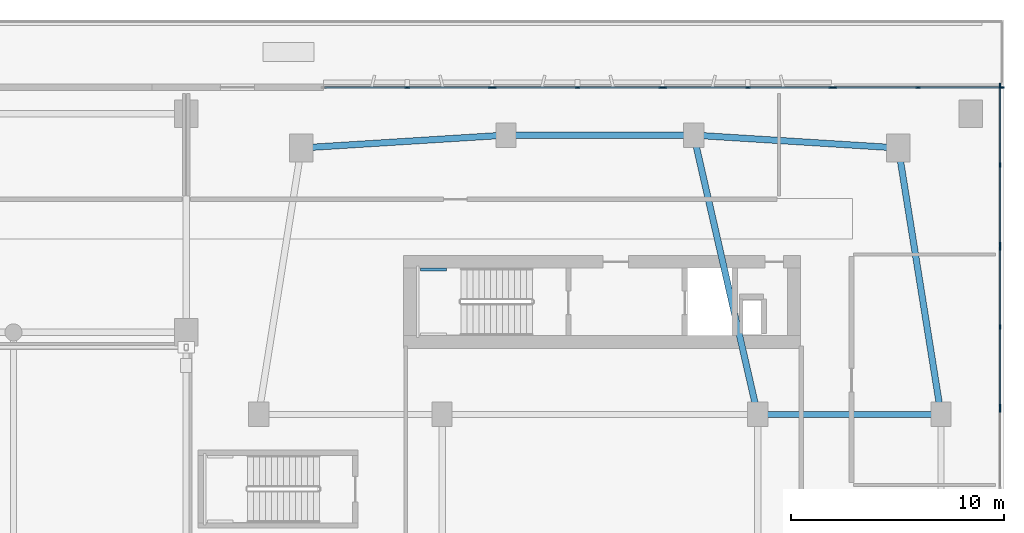
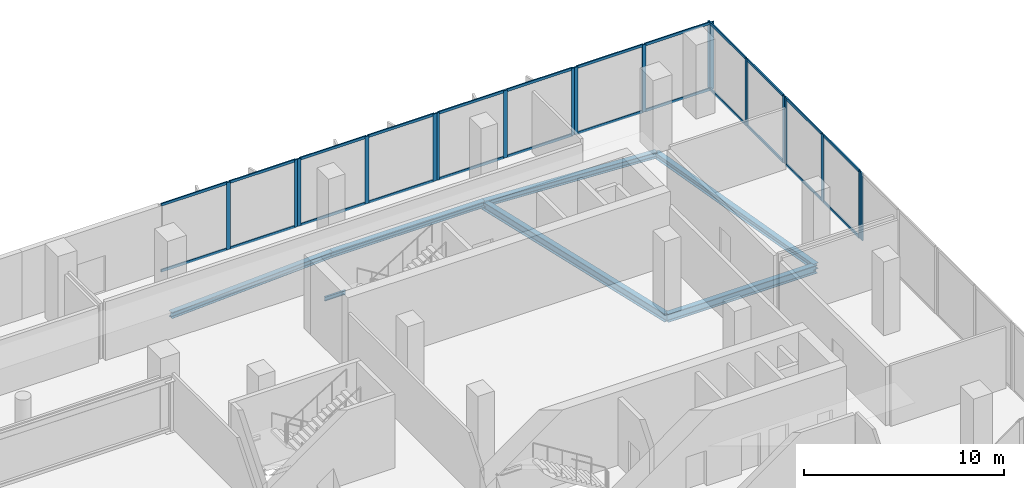
# One storey, part 10 of 31: 42 members, 7 beams, 7 elements without a shape of their own.
"""IFC4 building model written with IfcOpenShell, lengths in metres."""

from ifc_helpers import new_model, si_unit, derived_unit, direction, frame, origin, origin_2d, place, context, subcontext, project, spatial, rectangle, i_section, extrude, material, layer, layer_set, material_profile, profile_set, type_object, element, aggregate, save


model = new_model("IFC4")

# Units and contexts
model_context = context("Model", 3, precision=1e-05, world=origin(), true_north=direction((0.0, 1.0)))
body_context = subcontext(model_context, "Body", "Model", "MODEL_VIEW")
ifc_project = project(units=[si_unit("LENGTHUNIT", "METRE"), si_unit("AREAUNIT", "SQUARE_METRE"), si_unit("VOLUMEUNIT", "CUBIC_METRE"), si_unit("PLANEANGLEUNIT", "RADIAN"), si_unit("MASSUNIT", "GRAM", prefix="KILO"), derived_unit("THERMALTRANSMITTANCEUNIT", [(si_unit("POWERUNIT", "WATT"), 1), (si_unit("LENGTHUNIT", "METRE"), -2), (si_unit("THERMODYNAMICTEMPERATUREUNIT", "KELVIN"), -1)])], contexts=[model_context])

# Site, building, storey
site_placement = place(None, origin())
site = spatial("IfcSite", under=ifc_project, at=site_placement, CompositionType="ELEMENT")
building_placement = place(site_placement, origin())
building = spatial("IfcBuilding", under=site, at=building_placement, Name="Kivonza Crest Hotel", CompositionType="ELEMENT")
storey_placement = place(building_placement, frame((0.0, 0.0, 15.0)))
storey = spatial("IfcBuildingStorey", under=building, at=storey_placement, Name="L03", CompositionType="ELEMENT", Elevation=15.0)

# Beams
ifc_material_1 = material(Name="Steel S355", Category="steel")
ifc_material_profile_1 = material_profile(ifc_material_1, i_section(OverallWidth=0.300048828125, OverallDepth=0.360107421875, WebThickness=0.012451171875, FlangeThickness=0.0224609375, FilletRadius=0.027099609375, at=origin_2d()), Name="HEB 360")
ifc_profile_set_1 = profile_set([ifc_material_profile_1], Name="Steel S355")
beam_type_1 = type_object("IfcBeamType", Name="BM-HEB360", PredefinedType="SPANDREL", material=ifc_profile_set_1)
beam_1_placement = place(storey_placement, frame((93.0, 28.5, -0.530029296875), z_axis=(-0.157990501107, 0.987440631917, 0.0), x_axis=(-0.987440631917, -0.157990501107, 0.0)))
element("IfcBeam", 1, at=beam_1_placement, inside=storey, type_object=beam_type_1, Name="Companion Tower T2 L03 perimeter spandrel E2-NE", PredefinedType="SPANDREL", context=body_context, shape_type="SweptSolid", body=[
    extrude(i_section(OverallWidth=0.300048828125, OverallDepth=0.360107421875, WebThickness=0.012451171875, FlangeThickness=0.0224609375, FilletRadius=0.027099609375, at=origin_2d()), origin(), (0.0, 0.0, 1.0), 12.658935546875),
])
beam_2_placement = place(storey_placement, frame((91.0, 41.0, -0.530029296875), z_axis=(-0.998051985873, 0.062387767186, 0.0), x_axis=(-0.062387767186, -0.998051985873, 0.0)))
element("IfcBeam", 2, at=beam_2_placement, inside=storey, type_object=beam_type_1, Name="Companion Tower T2 L03 perimeter spandrel NE-N2", PredefinedType="SPANDREL", context=body_context, shape_type="SweptSolid", body=[
    extrude(i_section(OverallWidth=0.300048828125, OverallDepth=0.360107421875, WebThickness=0.012451171875, FlangeThickness=0.0224609375, FilletRadius=0.027099609375, at=origin_2d()), origin(), (0.0, 0.0, 1.0), 9.618896484375),
])
beam_3_placement = place(storey_placement, frame((81.39990234375, 41.60009765625, -0.530029296875), z_axis=(-1.0, 0.0, 0.0), x_axis=(0.0, -1.0, 0.0)))
element("IfcBeam", 3, at=beam_3_placement, inside=storey, type_object=beam_type_1, Name="Companion Tower T2 L03 perimeter spandrel N2-N1", PredefinedType="SPANDREL", context=body_context, shape_type="SweptSolid", body=[
    extrude(i_section(OverallWidth=0.300048828125, OverallDepth=0.360107421875, WebThickness=0.012451171875, FlangeThickness=0.0224609375, FilletRadius=0.027099609375, at=origin_2d()), origin(), (0.0, 0.0, 1.0), 8.7998046875),
])
beam_4_placement = place(storey_placement, frame((72.60009765625, 41.60009765625, -0.530029296875), z_axis=(-0.998051985873, -0.062387767186, 0.0), x_axis=(0.062387767186, -0.998051985873, 0.0)))
element("IfcBeam", 4, at=beam_4_placement, inside=storey, type_object=beam_type_1, Name="Companion Tower T2 L03 perimeter spandrel N1-NW", PredefinedType="SPANDREL", context=body_context, shape_type="SweptSolid", body=[
    extrude(i_section(OverallWidth=0.300048828125, OverallDepth=0.360107421875, WebThickness=0.012451171875, FlangeThickness=0.0224609375, FilletRadius=0.027099609375, at=origin_2d()), origin(), (0.0, 0.0, 1.0), 9.618896484375),
])
ifc_material_profile_2 = material_profile(ifc_material_1, i_section(OverallWidth=0.300048828125, OverallDepth=0.5, WebThickness=0.014404296875, FlangeThickness=0.028076171875, FilletRadius=0.027099609375, at=origin_2d()), Name="HEB 500")
ifc_profile_set_2 = profile_set([ifc_material_profile_2], Name="Steel S355")
beam_type_2 = type_object("IfcBeamType", Name="BM-HEB500", PredefinedType="BEAM", material=ifc_profile_set_2)
beam_5_placement = place(storey_placement, frame((84.39990234375, 28.5, -0.60009765625), z_axis=(1.0, 0.0, 0.0), x_axis=(0.0, 1.0, 0.0)))
element("IfcBeam", 5, at=beam_5_placement, inside=storey, type_object=beam_type_2, Name="Companion Tower T2 L03 girder WR2-E2", PredefinedType="BEAM", context=body_context, shape_type="SweptSolid", body=[
    extrude(i_section(OverallWidth=0.300048828125, OverallDepth=0.5, WebThickness=0.014404296875, FlangeThickness=0.028076171875, FilletRadius=0.027099609375, at=origin_2d()), origin(), (0.0, 0.0, 1.0), 8.60009765625),
])
beam_6_placement = place(storey_placement, frame((84.39990234375, 28.5, -0.60009765625), z_axis=(-0.223227287589, 0.974766422317, 0.0), x_axis=(-0.974766422317, -0.223227287589, 0.0)))
element("IfcBeam", 6, at=beam_6_placement, inside=storey, type_object=beam_type_2, Name="Companion Tower T2 L03 girder WR2-N2", PredefinedType="BEAM", context=body_context, shape_type="SweptSolid", body=[
    extrude(i_section(OverallWidth=0.300048828125, OverallDepth=0.5, WebThickness=0.014404296875, FlangeThickness=0.028076171875, FilletRadius=0.027099609375, at=origin_2d()), origin(), (0.0, 0.0, 1.0), 13.439208984375),
])
ifc_material_profile_3 = material_profile(ifc_material_1, i_section(OverallWidth=0.1201171875, OverallDepth=0.239990234375, WebThickness=0.006103515625, FlangeThickness=0.009765625, FilletRadius=0.014892578125, at=origin_2d()), Name="IPE 240")
ifc_profile_set_3 = profile_set([ifc_material_profile_3], Name="Steel S355")
beam_type_3 = type_object("IfcBeamType", Name="BM-LLDG-240", PredefinedType="BEAM", material=ifc_profile_set_3)
beam_7_placement = place(storey_placement, frame((68.590087890625, 35.300048828125, 1.929931640625), z_axis=(1.0, 0.0, 0.0), x_axis=(0.0, 1.0, 0.0)))
element("IfcBeam", 7, at=beam_7_placement, inside=storey, type_object=beam_type_3, Name="Stair ST-T2-N L03 North landing corbel", PredefinedType="BEAM", context=body_context, shape_type="SweptSolid", body=[
    extrude(i_section(OverallWidth=0.1201171875, OverallDepth=0.239990234375, WebThickness=0.006103515625, FlangeThickness=0.009765625, FilletRadius=0.014892578125, at=origin_2d()), origin(), (0.0, 0.0, 1.0), 1.2099609375),
])

# Curtain wall, member
ifc_material_2 = material(Name="Anodised bronze aluminium and low-E double glazing", Category="aluminium")
ifc_layer = layer(ifc_material_2, 0.199951171875)
ifc_layer_set = layer_set([ifc_layer], Name="Anodised bronze aluminium and low-E double glazing")
curtain_wall_type = type_object("IfcCurtainWallType", Name="CW-SYS-6", PredefinedType="NOTDEFINED", material=ifc_layer_set)
curtain_wall_1_placement = place(storey_placement, origin())
curtain_wall_1 = element("IfcCurtainWall", 8, at=curtain_wall_1_placement, inside=storey, type_object=curtain_wall_type, Name="L03 unitised curtain wall CW-POD-L03-15", PredefinedType="NOTDEFINED")
ifc_material_3 = material(Name="Anodised bronze aluminium", Category="aluminium")
ifc_material_profile_4 = material_profile(ifc_material_3, rectangle(XDim=0.074951171875, YDim=0.219970703125, at=origin_2d()), Name="CW-M 75x220")
ifc_profile_set_4 = profile_set([ifc_material_profile_4], Name="Anodised bronze aluminium")
member_type_1 = type_object("IfcMemberType", Name="CW-MUL-75x220", PredefinedType="MULLION", material=ifc_profile_set_4)
member_1_placement = place(storey_placement, frame((95.760009765625, 28.722412109375, 0.0), z_axis=(0.0, 0.0, 1.0), x_axis=(-1.0, 0.0, 0.0)))
member_1 = element("IfcMember", 9, at=member_1_placement, type_object=member_type_1, Name="CW-6 mullion 3", PredefinedType="MULLION", context=body_context, shape_type="SweptSolid", body=[
    extrude(rectangle(XDim=0.074951171875, YDim=0.219970703125, at=origin_2d()), origin(), (0.0, 0.0, 1.0), 4.10009765625),
])
aggregate(curtain_wall_1, [member_1])

# Curtain wall, members
curtain_wall_2_placement = place(storey_placement, origin())
curtain_wall_2 = element("IfcCurtainWall", 10, at=curtain_wall_2_placement, inside=storey, type_object=curtain_wall_type, Name="L03 unitised curtain wall CW-POD-L03-16", PredefinedType="NOTDEFINED")
member_2_placement = place(storey_placement, frame((95.760009765625, 28.87744140625, 0.0), z_axis=(0.0, 0.0, 1.0), x_axis=(-1.0, 0.0, 0.0)))
member_2 = element("IfcMember", 11, at=member_2_placement, type_object=member_type_1, Name="CW-6 mullion 1", PredefinedType="MULLION", context=body_context, shape_type="SweptSolid", body=[
    extrude(rectangle(XDim=0.074951171875, YDim=0.219970703125, at=origin_2d()), origin(), (0.0, 0.0, 1.0), 4.10009765625),
])
member_3_placement = place(storey_placement, frame((95.760009765625, 32.60009765625, 0.0), z_axis=(0.0, 0.0, 1.0), x_axis=(-1.0, 0.0, 0.0)))
member_3 = element("IfcMember", 12, at=member_3_placement, type_object=member_type_1, Name="CW-6 mullion 2", PredefinedType="MULLION", context=body_context, shape_type="SweptSolid", body=[
    extrude(rectangle(XDim=0.074951171875, YDim=0.219970703125, at=origin_2d()), origin(), (0.0, 0.0, 1.0), 4.10009765625),
])
member_4_placement = place(storey_placement, frame((95.760009765625, 36.322509765625, 0.0), z_axis=(0.0, 0.0, 1.0), x_axis=(-1.0, 0.0, 0.0)))
member_4 = element("IfcMember", 13, at=member_4_placement, type_object=member_type_1, Name="CW-6 mullion 3", PredefinedType="MULLION", context=body_context, shape_type="SweptSolid", body=[
    extrude(rectangle(XDim=0.074951171875, YDim=0.219970703125, at=origin_2d()), origin(), (0.0, 0.0, 1.0), 4.10009765625),
])

curtain_wall_3_placement = place(storey_placement, origin())
curtain_wall_3 = element("IfcCurtainWall", 14, at=curtain_wall_3_placement, inside=storey, type_object=curtain_wall_type, Name="L03 unitised curtain wall CW-POD-L03-17", PredefinedType="NOTDEFINED")
member_5_placement = place(storey_placement, frame((95.760009765625, 36.4775390625, 0.0), z_axis=(0.0, 0.0, 1.0), x_axis=(-1.0, 0.0, 0.0)))
member_5 = element("IfcMember", 15, at=member_5_placement, type_object=member_type_1, Name="CW-6 mullion 1", PredefinedType="MULLION", context=body_context, shape_type="SweptSolid", body=[
    extrude(rectangle(XDim=0.074951171875, YDim=0.219970703125, at=origin_2d()), origin(), (0.0, 0.0, 1.0), 4.10009765625),
])
member_6_placement = place(storey_placement, frame((95.760009765625, 40.199951171875, 0.0), z_axis=(0.0, 0.0, 1.0), x_axis=(-1.0, 0.0, 0.0)))
member_6 = element("IfcMember", 16, at=member_6_placement, type_object=member_type_1, Name="CW-6 mullion 2", PredefinedType="MULLION", context=body_context, shape_type="SweptSolid", body=[
    extrude(rectangle(XDim=0.074951171875, YDim=0.219970703125, at=origin_2d()), origin(), (0.0, 0.0, 1.0), 4.10009765625),
])
member_7_placement = place(storey_placement, frame((95.760009765625, 43.922607421875, 0.0), z_axis=(0.0, 0.0, 1.0), x_axis=(-1.0, 0.0, 0.0)))
member_7 = element("IfcMember", 17, at=member_7_placement, type_object=member_type_1, Name="CW-6 mullion 3", PredefinedType="MULLION", context=body_context, shape_type="SweptSolid", body=[
    extrude(rectangle(XDim=0.074951171875, YDim=0.219970703125, at=origin_2d()), origin(), (0.0, 0.0, 1.0), 4.10009765625),
])

curtain_wall_4_placement = place(storey_placement, origin())
curtain_wall_4 = element("IfcCurtainWall", 18, at=curtain_wall_4_placement, inside=storey, type_object=curtain_wall_type, Name="L03 unitised curtain wall CW-POD-L03-18", PredefinedType="NOTDEFINED")
member_8_placement = place(storey_placement, frame((95.842529296875, 43.840087890625, 0.0), z_axis=(0.0, 0.0, 1.0), x_axis=(0.0, -1.0, 0.0)))
member_8 = element("IfcMember", 19, at=member_8_placement, type_object=member_type_1, Name="CW-6 mullion 1", PredefinedType="MULLION", context=body_context, shape_type="SweptSolid", body=[
    extrude(rectangle(XDim=0.074951171875, YDim=0.219970703125, at=origin_2d()), origin(), (0.0, 0.0, 1.0), 4.10009765625),
])
member_9_placement = place(storey_placement, frame((91.926513671875, 43.840087890625, 0.0), z_axis=(0.0, 0.0, 1.0), x_axis=(0.0, -1.0, 0.0)))
member_9 = element("IfcMember", 20, at=member_9_placement, type_object=member_type_1, Name="CW-6 mullion 2", PredefinedType="MULLION", context=body_context, shape_type="SweptSolid", body=[
    extrude(rectangle(XDim=0.074951171875, YDim=0.219970703125, at=origin_2d()), origin(), (0.0, 0.0, 1.0), 4.10009765625),
])
member_10_placement = place(storey_placement, frame((88.010498046875, 43.840087890625, 0.0), z_axis=(0.0, 0.0, 1.0), x_axis=(0.0, -1.0, 0.0)))
member_10 = element("IfcMember", 21, at=member_10_placement, type_object=member_type_1, Name="CW-6 mullion 3", PredefinedType="MULLION", context=body_context, shape_type="SweptSolid", body=[
    extrude(rectangle(XDim=0.074951171875, YDim=0.219970703125, at=origin_2d()), origin(), (0.0, 0.0, 1.0), 4.10009765625),
])

curtain_wall_5_placement = place(storey_placement, origin())
curtain_wall_5 = element("IfcCurtainWall", 22, at=curtain_wall_5_placement, inside=storey, type_object=curtain_wall_type, Name="L03 unitised curtain wall CW-POD-L03-19", PredefinedType="NOTDEFINED")
member_11_placement = place(storey_placement, frame((87.85546875, 43.840087890625, 0.0), z_axis=(0.0, 0.0, 1.0), x_axis=(0.0, -1.0, 0.0)))
member_11 = element("IfcMember", 23, at=member_11_placement, type_object=member_type_1, Name="CW-6 mullion 1", PredefinedType="MULLION", context=body_context, shape_type="SweptSolid", body=[
    extrude(rectangle(XDim=0.074951171875, YDim=0.219970703125, at=origin_2d()), origin(), (0.0, 0.0, 1.0), 4.10009765625),
])
member_12_placement = place(storey_placement, frame((83.93994140625, 43.840087890625, 0.0), z_axis=(0.0, 0.0, 1.0), x_axis=(0.0, -1.0, 0.0)))
member_12 = element("IfcMember", 24, at=member_12_placement, type_object=member_type_1, Name="CW-6 mullion 2", PredefinedType="MULLION", context=body_context, shape_type="SweptSolid", body=[
    extrude(rectangle(XDim=0.074951171875, YDim=0.219970703125, at=origin_2d()), origin(), (0.0, 0.0, 1.0), 4.10009765625),
])
member_13_placement = place(storey_placement, frame((80.0244140625, 43.840087890625, 0.0), z_axis=(0.0, 0.0, 1.0), x_axis=(0.0, -1.0, 0.0)))
member_13 = element("IfcMember", 25, at=member_13_placement, type_object=member_type_1, Name="CW-6 mullion 3", PredefinedType="MULLION", context=body_context, shape_type="SweptSolid", body=[
    extrude(rectangle(XDim=0.074951171875, YDim=0.219970703125, at=origin_2d()), origin(), (0.0, 0.0, 1.0), 4.10009765625),
])

curtain_wall_6_placement = place(storey_placement, origin())
curtain_wall_6 = element("IfcCurtainWall", 26, at=curtain_wall_6_placement, inside=storey, type_object=curtain_wall_type, Name="L03 unitised curtain wall CW-POD-L03-20", PredefinedType="NOTDEFINED")
member_14_placement = place(storey_placement, frame((79.869384765625, 43.840087890625, 0.0), z_axis=(0.0, 0.0, 1.0), x_axis=(0.0, -1.0, 0.0)))
member_14 = element("IfcMember", 27, at=member_14_placement, type_object=member_type_1, Name="CW-6 mullion 1", PredefinedType="MULLION", context=body_context, shape_type="SweptSolid", body=[
    extrude(rectangle(XDim=0.074951171875, YDim=0.219970703125, at=origin_2d()), origin(), (0.0, 0.0, 1.0), 4.10009765625),
])
member_15_placement = place(storey_placement, frame((75.95361328125, 43.840087890625, 0.0), z_axis=(0.0, 0.0, 1.0), x_axis=(0.0, -1.0, 0.0)))
member_15 = element("IfcMember", 28, at=member_15_placement, type_object=member_type_1, Name="CW-6 mullion 2", PredefinedType="MULLION", context=body_context, shape_type="SweptSolid", body=[
    extrude(rectangle(XDim=0.074951171875, YDim=0.219970703125, at=origin_2d()), origin(), (0.0, 0.0, 1.0), 4.10009765625),
])
member_16_placement = place(storey_placement, frame((72.03759765625, 43.840087890625, 0.0), z_axis=(0.0, 0.0, 1.0), x_axis=(0.0, -1.0, 0.0)))
member_16 = element("IfcMember", 29, at=member_16_placement, type_object=member_type_1, Name="CW-6 mullion 3", PredefinedType="MULLION", context=body_context, shape_type="SweptSolid", body=[
    extrude(rectangle(XDim=0.074951171875, YDim=0.219970703125, at=origin_2d()), origin(), (0.0, 0.0, 1.0), 4.10009765625),
])

curtain_wall_7_placement = place(storey_placement, origin())
curtain_wall_7 = element("IfcCurtainWall", 30, at=curtain_wall_7_placement, inside=storey, type_object=curtain_wall_type, Name="L03 unitised curtain wall CW-POD-L03-21", PredefinedType="NOTDEFINED")
member_17_placement = place(storey_placement, frame((71.882568359375, 43.840087890625, 0.0), z_axis=(0.0, 0.0, 1.0), x_axis=(0.0, -1.0, 0.0)))
member_17 = element("IfcMember", 31, at=member_17_placement, type_object=member_type_1, Name="CW-6 mullion 1", PredefinedType="MULLION", context=body_context, shape_type="SweptSolid", body=[
    extrude(rectangle(XDim=0.074951171875, YDim=0.219970703125, at=origin_2d()), origin(), (0.0, 0.0, 1.0), 4.10009765625),
])
member_18_placement = place(storey_placement, frame((67.966552734375, 43.840087890625, 0.0), z_axis=(0.0, 0.0, 1.0), x_axis=(0.0, -1.0, 0.0)))
member_18 = element("IfcMember", 32, at=member_18_placement, type_object=member_type_1, Name="CW-6 mullion 2", PredefinedType="MULLION", context=body_context, shape_type="SweptSolid", body=[
    extrude(rectangle(XDim=0.074951171875, YDim=0.219970703125, at=origin_2d()), origin(), (0.0, 0.0, 1.0), 4.10009765625),
])

# Member
ifc_material_profile_5 = material_profile(ifc_material_3, rectangle(XDim=0.074951171875, YDim=0.159912109375, at=origin_2d()), Name="CW-T 75x160")
ifc_profile_set_5 = profile_set([ifc_material_profile_5], Name="Anodised bronze aluminium")
member_type_2 = type_object("IfcMemberType", Name="CW-TRN-75x160", PredefinedType="USERDEFINED", material=ifc_profile_set_5)
member_19_placement = place(storey_placement, frame((95.760009765625, 28.9150390625, 0.03759765625), z_axis=(0.0, 1.0, 0.0), x_axis=(-1.0, 0.0, 0.0)))
member_19 = element("IfcMember", 33, at=member_19_placement, type_object=member_type_2, Name="CW-6 transom 1.1", ObjectType="TRANSOM", PredefinedType="USERDEFINED", context=body_context, shape_type="SweptSolid", body=[
    extrude(rectangle(XDim=0.074951171875, YDim=0.159912109375, at=origin_2d()), origin(), (0.0, 0.0, 1.0), 3.6474609375),
])

member_20_placement = place(storey_placement, frame((95.760009765625, 28.9150390625, 4.0625), z_axis=(0.0, 1.0, 0.0), x_axis=(-1.0, 0.0, 0.0)))
member_20 = element("IfcMember", 34, at=member_20_placement, type_object=member_type_2, Name="CW-6 transom 1.2", ObjectType="TRANSOM", PredefinedType="USERDEFINED", context=body_context, shape_type="SweptSolid", body=[
    extrude(rectangle(XDim=0.074951171875, YDim=0.159912109375, at=origin_2d()), origin(), (0.0, 0.0, 1.0), 3.6474609375),
])

member_21_placement = place(storey_placement, frame((95.760009765625, 32.637451171875, 0.03759765625), z_axis=(0.0, 1.0, 0.0), x_axis=(-1.0, 0.0, 0.0)))
member_21 = element("IfcMember", 35, at=member_21_placement, type_object=member_type_2, Name="CW-6 transom 2.1", ObjectType="TRANSOM", PredefinedType="USERDEFINED", context=body_context, shape_type="SweptSolid", body=[
    extrude(rectangle(XDim=0.074951171875, YDim=0.159912109375, at=origin_2d()), origin(), (0.0, 0.0, 1.0), 3.6474609375),
])

member_22_placement = place(storey_placement, frame((95.760009765625, 32.637451171875, 4.0625), z_axis=(0.0, 1.0, 0.0), x_axis=(-1.0, 0.0, 0.0)))
member_22 = element("IfcMember", 36, at=member_22_placement, type_object=member_type_2, Name="CW-6 transom 2.2", ObjectType="TRANSOM", PredefinedType="USERDEFINED", context=body_context, shape_type="SweptSolid", body=[
    extrude(rectangle(XDim=0.074951171875, YDim=0.159912109375, at=origin_2d()), origin(), (0.0, 0.0, 1.0), 3.6474609375),
])

aggregate(curtain_wall_2, [member_2, member_3, member_4, member_19, member_20, member_21, member_22])

member_23_placement = place(storey_placement, frame((95.760009765625, 36.514892578125, 0.03759765625), z_axis=(0.0, 1.0, 0.0), x_axis=(-1.0, 0.0, 0.0)))
member_23 = element("IfcMember", 37, at=member_23_placement, type_object=member_type_2, Name="CW-6 transom 1.1", ObjectType="TRANSOM", PredefinedType="USERDEFINED", context=body_context, shape_type="SweptSolid", body=[
    extrude(rectangle(XDim=0.074951171875, YDim=0.159912109375, at=origin_2d()), origin(), (0.0, 0.0, 1.0), 3.647705078125),
])

member_24_placement = place(storey_placement, frame((95.760009765625, 36.514892578125, 4.0625), z_axis=(0.0, 1.0, 0.0), x_axis=(-1.0, 0.0, 0.0)))
member_24 = element("IfcMember", 38, at=member_24_placement, type_object=member_type_2, Name="CW-6 transom 1.2", ObjectType="TRANSOM", PredefinedType="USERDEFINED", context=body_context, shape_type="SweptSolid", body=[
    extrude(rectangle(XDim=0.074951171875, YDim=0.159912109375, at=origin_2d()), origin(), (0.0, 0.0, 1.0), 3.647705078125),
])

member_25_placement = place(storey_placement, frame((95.760009765625, 40.237548828125, 0.03759765625), z_axis=(0.0, 1.0, 0.0), x_axis=(-1.0, 0.0, 0.0)))
member_25 = element("IfcMember", 39, at=member_25_placement, type_object=member_type_2, Name="CW-6 transom 2.1", ObjectType="TRANSOM", PredefinedType="USERDEFINED", context=body_context, shape_type="SweptSolid", body=[
    extrude(rectangle(XDim=0.074951171875, YDim=0.159912109375, at=origin_2d()), origin(), (0.0, 0.0, 1.0), 3.6474609375),
])

member_26_placement = place(storey_placement, frame((95.760009765625, 40.237548828125, 4.0625), z_axis=(0.0, 1.0, 0.0), x_axis=(-1.0, 0.0, 0.0)))
member_26 = element("IfcMember", 40, at=member_26_placement, type_object=member_type_2, Name="CW-6 transom 2.2", ObjectType="TRANSOM", PredefinedType="USERDEFINED", context=body_context, shape_type="SweptSolid", body=[
    extrude(rectangle(XDim=0.074951171875, YDim=0.159912109375, at=origin_2d()), origin(), (0.0, 0.0, 1.0), 3.6474609375),
])

aggregate(curtain_wall_3, [member_5, member_6, member_7, member_23, member_24, member_25, member_26])

member_27_placement = place(storey_placement, frame((95.804931640625, 43.840087890625, 0.03759765625), z_axis=(-1.0, 0.0, 0.0), x_axis=(0.0, -1.0, 0.0)))
member_27 = element("IfcMember", 41, at=member_27_placement, type_object=member_type_2, Name="CW-6 transom 1.1", ObjectType="TRANSOM", PredefinedType="USERDEFINED", context=body_context, shape_type="SweptSolid", body=[
    extrude(rectangle(XDim=0.074951171875, YDim=0.159912109375, at=origin_2d()), origin(), (0.0, 0.0, 1.0), 3.8408203125),
])

member_28_placement = place(storey_placement, frame((95.804931640625, 43.840087890625, 4.0625), z_axis=(-1.0, 0.0, 0.0), x_axis=(0.0, -1.0, 0.0)))
member_28 = element("IfcMember", 42, at=member_28_placement, type_object=member_type_2, Name="CW-6 transom 1.2", ObjectType="TRANSOM", PredefinedType="USERDEFINED", context=body_context, shape_type="SweptSolid", body=[
    extrude(rectangle(XDim=0.074951171875, YDim=0.159912109375, at=origin_2d()), origin(), (0.0, 0.0, 1.0), 3.8408203125),
])

member_29_placement = place(storey_placement, frame((91.888916015625, 43.840087890625, 0.03759765625), z_axis=(-1.0, 0.0, 0.0), x_axis=(0.0, -1.0, 0.0)))
member_29 = element("IfcMember", 43, at=member_29_placement, type_object=member_type_2, Name="CW-6 transom 2.1", ObjectType="TRANSOM", PredefinedType="USERDEFINED", context=body_context, shape_type="SweptSolid", body=[
    extrude(rectangle(XDim=0.074951171875, YDim=0.159912109375, at=origin_2d()), origin(), (0.0, 0.0, 1.0), 3.8408203125),
])

member_30_placement = place(storey_placement, frame((91.888916015625, 43.840087890625, 4.0625), z_axis=(-1.0, 0.0, 0.0), x_axis=(0.0, -1.0, 0.0)))
member_30 = element("IfcMember", 44, at=member_30_placement, type_object=member_type_2, Name="CW-6 transom 2.2", ObjectType="TRANSOM", PredefinedType="USERDEFINED", context=body_context, shape_type="SweptSolid", body=[
    extrude(rectangle(XDim=0.074951171875, YDim=0.159912109375, at=origin_2d()), origin(), (0.0, 0.0, 1.0), 3.8408203125),
])

aggregate(curtain_wall_4, [member_8, member_9, member_10, member_27, member_28, member_29, member_30])

member_31_placement = place(storey_placement, frame((87.818115234375, 43.840087890625, 0.03759765625), z_axis=(-1.0, 0.0, 0.0), x_axis=(0.0, -1.0, 0.0)))
member_31 = element("IfcMember", 45, at=member_31_placement, type_object=member_type_2, Name="CW-6 transom 1.1", ObjectType="TRANSOM", PredefinedType="USERDEFINED", context=body_context, shape_type="SweptSolid", body=[
    extrude(rectangle(XDim=0.074951171875, YDim=0.159912109375, at=origin_2d()), origin(), (0.0, 0.0, 1.0), 3.840576171875),
])

member_32_placement = place(storey_placement, frame((87.818115234375, 43.840087890625, 4.0625), z_axis=(-1.0, 0.0, 0.0), x_axis=(0.0, -1.0, 0.0)))
member_32 = element("IfcMember", 46, at=member_32_placement, type_object=member_type_2, Name="CW-6 transom 1.2", ObjectType="TRANSOM", PredefinedType="USERDEFINED", context=body_context, shape_type="SweptSolid", body=[
    extrude(rectangle(XDim=0.074951171875, YDim=0.159912109375, at=origin_2d()), origin(), (0.0, 0.0, 1.0), 3.840576171875),
])

member_33_placement = place(storey_placement, frame((83.902587890625, 43.840087890625, 0.03759765625), z_axis=(-1.0, 0.0, 0.0), x_axis=(0.0, -1.0, 0.0)))
member_33 = element("IfcMember", 47, at=member_33_placement, type_object=member_type_2, Name="CW-6 transom 2.1", ObjectType="TRANSOM", PredefinedType="USERDEFINED", context=body_context, shape_type="SweptSolid", body=[
    extrude(rectangle(XDim=0.074951171875, YDim=0.159912109375, at=origin_2d()), origin(), (0.0, 0.0, 1.0), 3.840576171875),
])

member_34_placement = place(storey_placement, frame((83.902587890625, 43.840087890625, 4.0625), z_axis=(-1.0, 0.0, 0.0), x_axis=(0.0, -1.0, 0.0)))
member_34 = element("IfcMember", 48, at=member_34_placement, type_object=member_type_2, Name="CW-6 transom 2.2", ObjectType="TRANSOM", PredefinedType="USERDEFINED", context=body_context, shape_type="SweptSolid", body=[
    extrude(rectangle(XDim=0.074951171875, YDim=0.159912109375, at=origin_2d()), origin(), (0.0, 0.0, 1.0), 3.840576171875),
])

aggregate(curtain_wall_5, [member_11, member_12, member_13, member_31, member_32, member_33, member_34])

member_35_placement = place(storey_placement, frame((79.83203125, 43.840087890625, 0.03759765625), z_axis=(-1.0, 0.0, 0.0), x_axis=(0.0, -1.0, 0.0)))
member_35 = element("IfcMember", 49, at=member_35_placement, type_object=member_type_2, Name="CW-6 transom 1.1", ObjectType="TRANSOM", PredefinedType="USERDEFINED", context=body_context, shape_type="SweptSolid", body=[
    extrude(rectangle(XDim=0.074951171875, YDim=0.159912109375, at=origin_2d()), origin(), (0.0, 0.0, 1.0), 3.841064453125),
])

member_36_placement = place(storey_placement, frame((79.83203125, 43.840087890625, 4.0625), z_axis=(-1.0, 0.0, 0.0), x_axis=(0.0, -1.0, 0.0)))
member_36 = element("IfcMember", 50, at=member_36_placement, type_object=member_type_2, Name="CW-6 transom 1.2", ObjectType="TRANSOM", PredefinedType="USERDEFINED", context=body_context, shape_type="SweptSolid", body=[
    extrude(rectangle(XDim=0.074951171875, YDim=0.159912109375, at=origin_2d()), origin(), (0.0, 0.0, 1.0), 3.841064453125),
])

member_37_placement = place(storey_placement, frame((75.916015625, 43.840087890625, 0.03759765625), z_axis=(-1.0, 0.0, 0.0), x_axis=(0.0, -1.0, 0.0)))
member_37 = element("IfcMember", 51, at=member_37_placement, type_object=member_type_2, Name="CW-6 transom 2.1", ObjectType="TRANSOM", PredefinedType="USERDEFINED", context=body_context, shape_type="SweptSolid", body=[
    extrude(rectangle(XDim=0.074951171875, YDim=0.159912109375, at=origin_2d()), origin(), (0.0, 0.0, 1.0), 3.841064453125),
])

member_38_placement = place(storey_placement, frame((75.916015625, 43.840087890625, 4.0625), z_axis=(-1.0, 0.0, 0.0), x_axis=(0.0, -1.0, 0.0)))
member_38 = element("IfcMember", 52, at=member_38_placement, type_object=member_type_2, Name="CW-6 transom 2.2", ObjectType="TRANSOM", PredefinedType="USERDEFINED", context=body_context, shape_type="SweptSolid", body=[
    extrude(rectangle(XDim=0.074951171875, YDim=0.159912109375, at=origin_2d()), origin(), (0.0, 0.0, 1.0), 3.841064453125),
])

aggregate(curtain_wall_6, [member_14, member_15, member_16, member_35, member_36, member_37, member_38])

member_39_placement = place(storey_placement, frame((71.844970703125, 43.840087890625, 0.03759765625), z_axis=(-1.0, 0.0, 0.0), x_axis=(0.0, -1.0, 0.0)))
member_39 = element("IfcMember", 53, at=member_39_placement, type_object=member_type_2, Name="CW-6 transom 1.1", ObjectType="TRANSOM", PredefinedType="USERDEFINED", context=body_context, shape_type="SweptSolid", body=[
    extrude(rectangle(XDim=0.074951171875, YDim=0.159912109375, at=origin_2d()), origin(), (0.0, 0.0, 1.0), 3.841064453125),
])

member_40_placement = place(storey_placement, frame((71.844970703125, 43.840087890625, 4.0625), z_axis=(-1.0, 0.0, 0.0), x_axis=(0.0, -1.0, 0.0)))
member_40 = element("IfcMember", 54, at=member_40_placement, type_object=member_type_2, Name="CW-6 transom 1.2", ObjectType="TRANSOM", PredefinedType="USERDEFINED", context=body_context, shape_type="SweptSolid", body=[
    extrude(rectangle(XDim=0.074951171875, YDim=0.159912109375, at=origin_2d()), origin(), (0.0, 0.0, 1.0), 3.841064453125),
])

member_41_placement = place(storey_placement, frame((67.928955078125, 43.840087890625, 0.03759765625), z_axis=(-1.0, 0.0, 0.0), x_axis=(0.0, -1.0, 0.0)))
member_41 = element("IfcMember", 55, at=member_41_placement, type_object=member_type_2, Name="CW-6 transom 2.1", ObjectType="TRANSOM", PredefinedType="USERDEFINED", context=body_context, shape_type="SweptSolid", body=[
    extrude(rectangle(XDim=0.074951171875, YDim=0.159912109375, at=origin_2d()), origin(), (0.0, 0.0, 1.0), 3.841064453125),
])

member_42_placement = place(storey_placement, frame((67.928955078125, 43.840087890625, 4.0625), z_axis=(-1.0, 0.0, 0.0), x_axis=(0.0, -1.0, 0.0)))
member_42 = element("IfcMember", 56, at=member_42_placement, type_object=member_type_2, Name="CW-6 transom 2.2", ObjectType="TRANSOM", PredefinedType="USERDEFINED", context=body_context, shape_type="SweptSolid", body=[
    extrude(rectangle(XDim=0.074951171875, YDim=0.159912109375, at=origin_2d()), origin(), (0.0, 0.0, 1.0), 3.841064453125),
])

aggregate(curtain_wall_7, [member_17, member_18, member_39, member_40, member_41, member_42])

save(model, "model.ifc")
